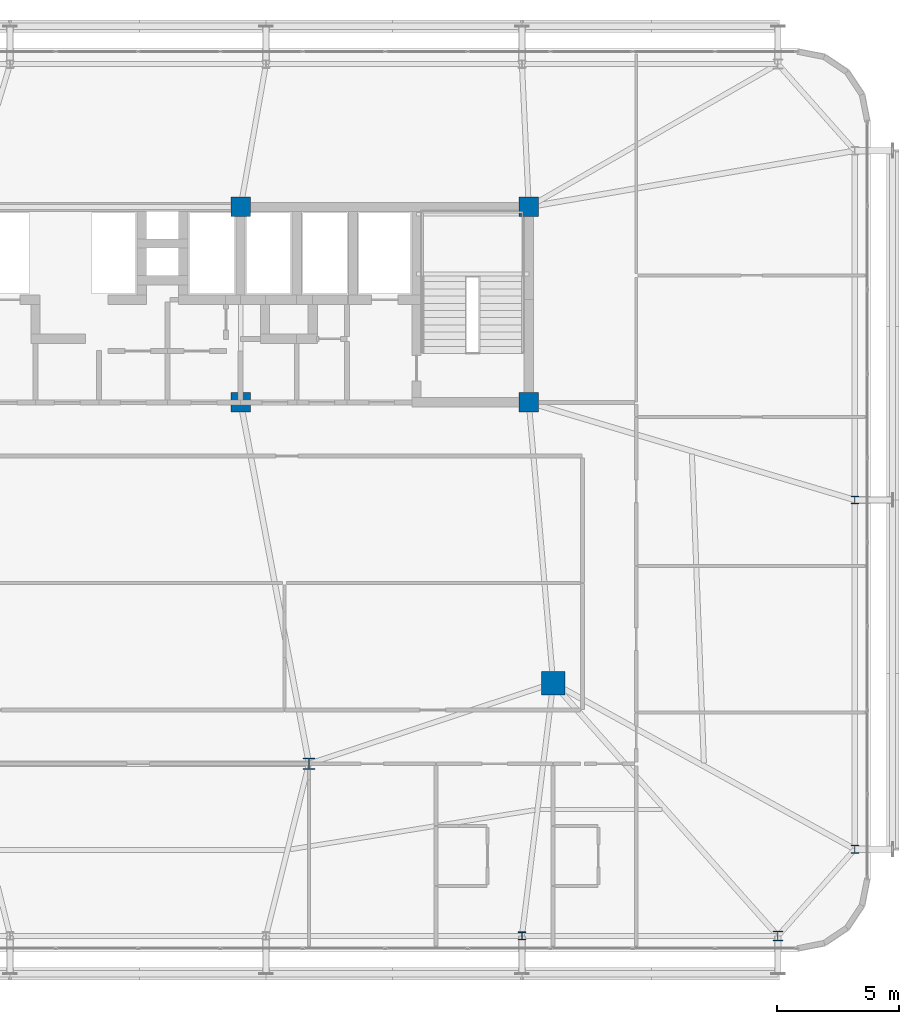
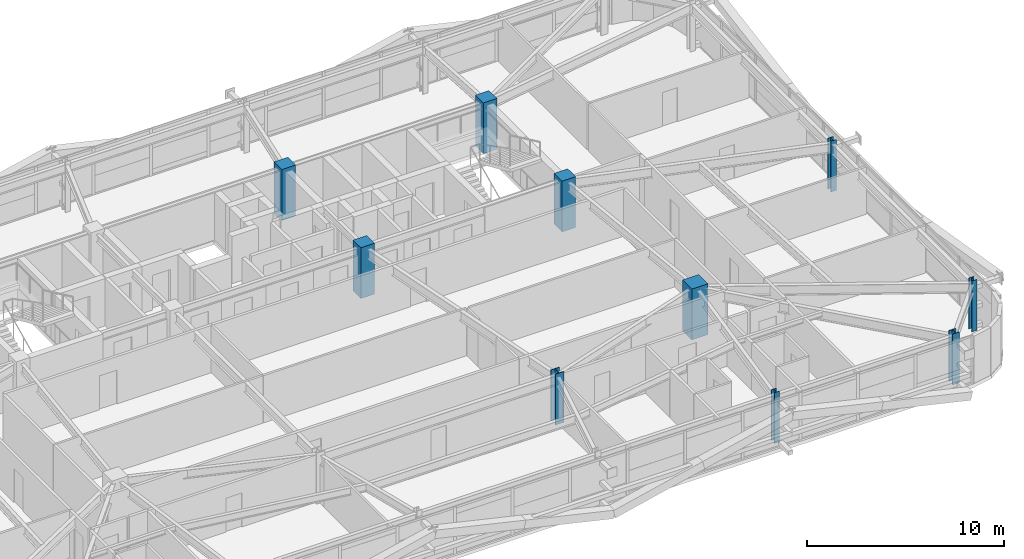
# One storey, part 2 of 59: 10 columns.
"""IFC4 building model written with IfcOpenShell, lengths in metres."""

from ifc_helpers import new_model, si_unit, direction, frame, origin, origin_2d, place, context, subcontext, project, spatial, rectangle, i_section, extrude, source, transform, mapped, material, material_profile, profile_set, type_object, element, save


model = new_model("IFC4")

# Units and contexts
model_context = context("Model", 3, precision=1e-05, world=origin(), true_north=direction((0.0, 1.0)))
body_context = subcontext(model_context, "Body", "Model", "MODEL_VIEW")
ifc_project = project(units=[si_unit("LENGTHUNIT", "METRE"), si_unit("AREAUNIT", "SQUARE_METRE"), si_unit("VOLUMEUNIT", "CUBIC_METRE"), si_unit("PLANEANGLEUNIT", "RADIAN"), si_unit("MASSUNIT", "GRAM", prefix="KILO")], contexts=[model_context])

# Site, building, storey
site_placement = place(None, origin())
site = spatial("IfcSite", under=ifc_project, at=site_placement, CompositionType="ELEMENT")
building_placement = place(site_placement, origin())
building = spatial("IfcBuilding", under=site, at=building_placement, Name="Taldren Reach Tower", CompositionType="ELEMENT")
storey_placement = place(building_placement, frame((0.0, 0.0, 26.25)))
storey = spatial("IfcBuildingStorey", under=building, at=storey_placement, Name="L07", CompositionType="ELEMENT", Elevation=26.25)

# Columns
ifc_material_1 = material(Name="Steel Gr 350 (350PLUS)", Category="steel")
ifc_material_profile_1 = material_profile(ifc_material_1, i_section(OverallWidth=0.5, OverallDepth=0.47998046875, WebThickness=0.028076171875, FlangeThickness=0.0439453125, at=origin_2d()), Name="500WC440")
ifc_profile_set_1 = profile_set([ifc_material_profile_1], Name="Steel Gr 350 (350PLUS)")
column_type_1 = type_object("IfcColumnType", Name="COL-WC500A", PredefinedType="COLUMN", material=ifc_profile_set_1)
shared_shape_1 = source(origin(), body_context, "Body", "SweptSolid", [
    extrude(i_section(OverallWidth=0.5, OverallDepth=0.47998046875, WebThickness=0.028076171875, FlangeThickness=0.0439453125, at=origin_2d()), origin(), (0.0, 0.0, 1.0), 3.14990234375),
])
column_1_placement = place(storey_placement, frame((42.0, 9.199951171875, 0.0), z_axis=(0.0, 0.0, 1.0), x_axis=(1.0, 0.0, 0.0)))
element("IfcColumn", 1, at=column_1_placement, inside=storey, type_object=column_type_1, Name="Mega column MC-PJE L07", PredefinedType="COLUMN", context=body_context, shape_type="MappedRepresentation", body=[
    mapped(shared_shape_1, transform((0.0, 0.0, 0.0), scale=1.0)),
])
ifc_material_2 = material(Name="Concrete S80 (80 MPa)", Category="concrete")
ifc_material_profile_2 = material_profile(ifc_material_2, rectangle(XDim=0.949951171875, YDim=0.949951171875, at=origin_2d()), Name="RC-950x950")
ifc_profile_set_2 = profile_set([ifc_material_profile_2], Name="Concrete S80 (80 MPa)")
column_type_2 = type_object("IfcColumnType", Name="COL-RC950", PredefinedType="COLUMN", material=ifc_profile_set_2)
shared_shape_2 = source(origin(), body_context, "Body", "SweptSolid", [
    extrude(rectangle(XDim=0.949951171875, YDim=0.949951171875, at=origin_2d()), origin(), (0.0, 0.0, 1.0), 3.14990234375),
])
column_2_placement = place(storey_placement, frame((52.0, 12.5, 0.0), z_axis=(0.0, 0.0, 1.0), x_axis=(1.0, 0.0, 0.0)))
element("IfcColumn", 2, at=column_2_placement, inside=storey, type_object=column_type_2, Name="Mega column MC-SE L07", PredefinedType="COLUMN", context=body_context, shape_type="MappedRepresentation", body=[
    mapped(shared_shape_2, transform((0.0, 0.0, 0.0), scale=1.0)),
])
ifc_material_profile_3 = material_profile(ifc_material_1, i_section(OverallWidth=0.39990234375, OverallDepth=0.39599609375, WebThickness=0.02197265625, FlangeThickness=0.033935546875, at=origin_2d()), Name="400WC270")
ifc_profile_set_3 = profile_set([ifc_material_profile_3], Name="Steel Gr 350 (350PLUS)")
column_type_3 = type_object("IfcColumnType", Name="COL-WC400", PredefinedType="COLUMN", material=ifc_profile_set_3)
shared_shape_3 = source(origin(), body_context, "Body", "SweptSolid", [
    extrude(i_section(OverallWidth=0.39990234375, OverallDepth=0.39599609375, WebThickness=0.02197265625, FlangeThickness=0.033935546875, at=origin_2d()), origin(), (0.0, 0.0, 1.0), 3.14990234375),
])
column_3_placement = place(storey_placement, frame((61.199951171875, 2.14990234375, 0.0), z_axis=(0.0, 0.0, 1.0), x_axis=(1.0, 0.0, 0.0)))
element("IfcColumn", 3, at=column_3_placement, inside=storey, type_object=column_type_3, Name="Block B1 perimeter column S6 L07", PredefinedType="COLUMN", context=body_context, shape_type="MappedRepresentation", body=[
    mapped(shared_shape_3, transform((0.0, 0.0, 0.0), scale=1.0)),
])
ifc_material_profile_4 = material_profile(ifc_material_1, i_section(OverallWidth=0.31103515625, OverallDepth=0.326904296875, WebThickness=0.015625, FlangeThickness=0.02490234375, at=origin_2d()), Name="310UC158")
ifc_profile_set_4 = profile_set([ifc_material_profile_4], Name="Steel Gr 350 (350PLUS)")
column_type_4 = type_object("IfcColumnType", Name="COL-UC310A", PredefinedType="COLUMN", material=ifc_profile_set_4)
shared_shape_4 = source(origin(), body_context, "Body", "SweptSolid", [
    extrude(i_section(OverallWidth=0.31103515625, OverallDepth=0.326904296875, WebThickness=0.015625, FlangeThickness=0.02490234375, at=origin_2d()), origin(), (0.0, 0.0, 1.0), 3.14990234375),
])
for number, where, z_axis, x_axis, name in (
    (4, (50.719970703125, 2.14990234375, 0.0), (0.0, 0.0, 1.0), (1.0, 0.0, 0.0), "Block B1 perimeter column S5 L07"),
    (5, (64.35009765625, 5.699951171875, 0.0), (0.0, 0.0, 1.0), (1.0, 0.0, 0.0), "Block B1 perimeter column E1 L07"),
    (6, (64.35009765625, 20.0, 0.0), (0.0, 0.0, 1.0), (1.0, 0.0, 0.0), "Block B1 perimeter column E2 L07"),
):
    element("IfcColumn", number, at=place(storey_placement, frame(where, z_axis=z_axis, x_axis=x_axis)), inside=storey, type_object=column_type_4, Name=name, PredefinedType="COLUMN", context=body_context, shape_type="MappedRepresentation", body=[
        mapped(shared_shape_4, transform((0.0, 0.0, 0.0), scale=1.0)),
    ])
ifc_material_3 = material(Name="Concrete S65 (65 MPa)", Category="concrete")
ifc_material_profile_5 = material_profile(ifc_material_3, rectangle(XDim=0.800048828125, YDim=0.800048828125, at=origin_2d()), Name="RC-800x800")
ifc_profile_set_5 = profile_set([ifc_material_profile_5], Name="Concrete S65 (65 MPa)")
column_type_5 = type_object("IfcColumnType", Name="COL-RC800", PredefinedType="COLUMN", material=ifc_profile_set_5)
shared_shape_5 = source(origin(), body_context, "Body", "SweptSolid", [
    extrude(rectangle(XDim=0.800048828125, YDim=0.800048828125, at=origin_2d()), origin(), (0.0, 0.0, 1.0), 3.14990234375),
])
for number, where, z_axis, x_axis, name in (
    (7, (39.199951171875, 24.0, 0.0), (0.0, 0.0, 1.0), (1.0, 0.0, 0.0), "Mega column MC-C3 L07"),
    (8, (51.0, 24.0, 0.0), (0.0, 0.0, 1.0), (1.0, 0.0, 0.0), "Mega column MC-C4 L07"),
    (9, (39.199951171875, 32.0, 0.0), (0.0, 0.0, 1.0), (1.0, 0.0, 0.0), "Mega column MC-C7 L07"),
    (10, (51.0, 32.0, 0.0), (0.0, 0.0, 1.0), (1.0, 0.0, 0.0), "Mega column MC-C8 L07"),
):
    element("IfcColumn", number, at=place(storey_placement, frame(where, z_axis=z_axis, x_axis=x_axis)), inside=storey, type_object=column_type_5, Name=name, PredefinedType="COLUMN", context=body_context, shape_type="MappedRepresentation", body=[
        mapped(shared_shape_5, transform((0.0, 0.0, 0.0), scale=1.0)),
    ])

save(model, "model.ifc")
